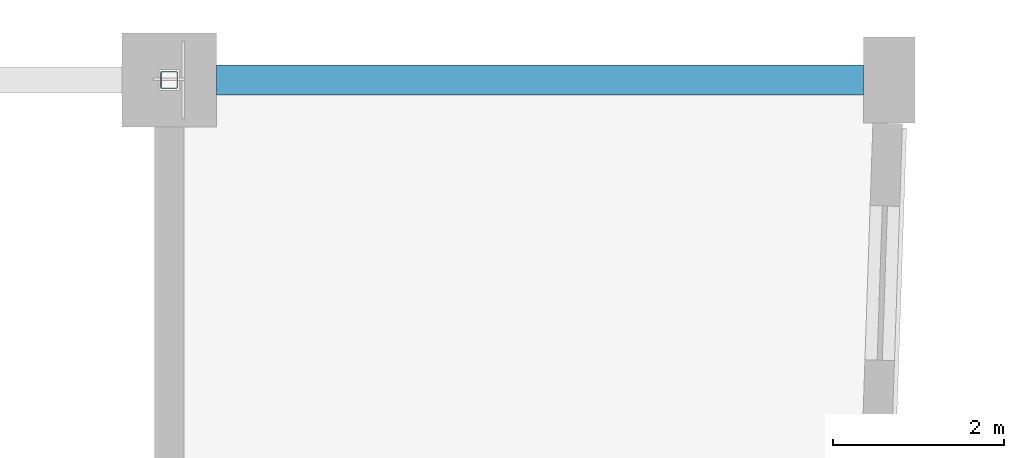
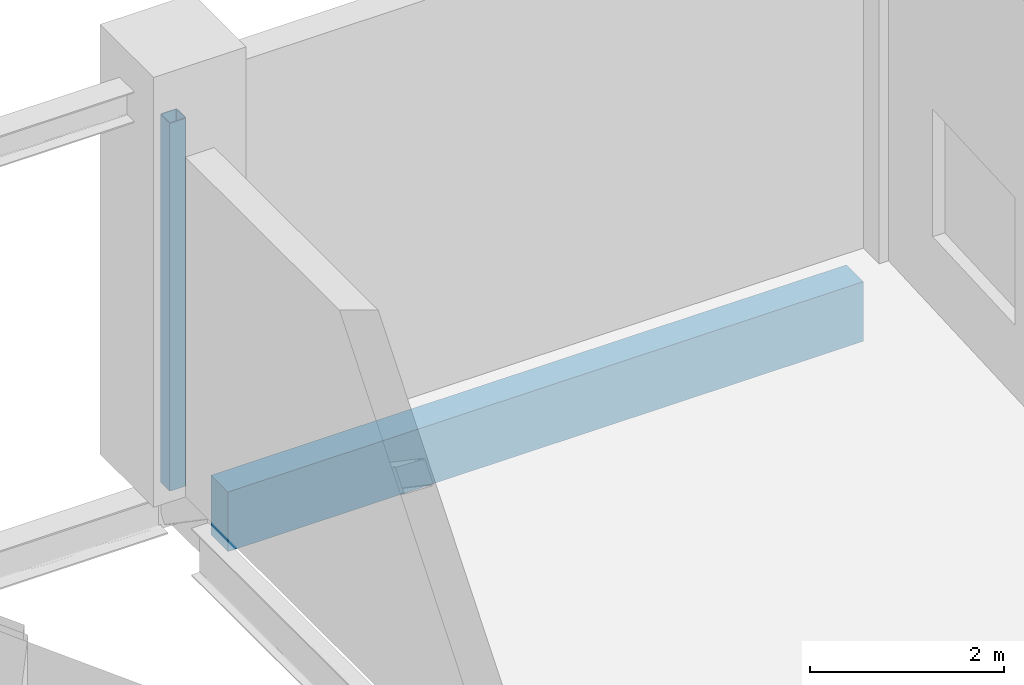
# One storey, part 43 of 127: 1 beam, 1 member.
"""IFC4 building model written with IfcOpenShell, lengths in metres."""

from ifc_helpers import new_model, si_unit, direction, frame, origin, origin_2d, place, context, subcontext, project, spatial, rectangle, hollow_rectangle, extrude, material, material_profile, profile_set, type_object, element, save


model = new_model("IFC4")

# Units and contexts
model_context = context("Model", 3, precision=1e-05, world=origin(), true_north=direction((0.0, 1.0)))
body_context = subcontext(model_context, "Body", "Model", "MODEL_VIEW")
ifc_project = project(units=[si_unit("LENGTHUNIT", "METRE"), si_unit("AREAUNIT", "SQUARE_METRE"), si_unit("VOLUMEUNIT", "CUBIC_METRE"), si_unit("PLANEANGLEUNIT", "RADIAN"), si_unit("MASSUNIT", "GRAM", prefix="KILO")], contexts=[model_context])

# Site, building, storey
site_placement = place(None, origin())
site = spatial("IfcSite", under=ifc_project, at=site_placement, CompositionType="ELEMENT")
building_placement = place(site_placement, origin())
building = spatial("IfcBuilding", under=site, at=building_placement, Name="Larkvane Passage Sports Hall", CompositionType="ELEMENT")
storey_placement = place(building_placement, frame((0.0, 0.0, 5.39990234375)))
storey = spatial("IfcBuildingStorey", under=building, at=storey_placement, Name="L01", CompositionType="ELEMENT", Elevation=5.39990234375)

# Member
ifc_material_1 = material(Name="Steel S460N", Category="steel")
ifc_material_profile_1 = material_profile(ifc_material_1, hollow_rectangle(XDim=0.199951171875, YDim=0.199951171875, WallThickness=0.009033203125, InnerFilletRadius=0.009033203125, OuterFilletRadius=0.01806640625, at=origin_2d()), Name="SHS-200x200x9")
ifc_profile_set_1 = profile_set([ifc_material_profile_1], Name="Steel S460N")
member_type = type_object("IfcMemberType", Name="MBR-ST-SHS200", PredefinedType="STRUT", material=ifc_profile_set_1)
member_placement = place(storey_placement, frame((93.60009765625, 99.199951171875, -0.22998046875), z_axis=(0.0, 0.0, 1.0), x_axis=(1.0, 0.0, 0.0)))
element("IfcMember", 1, at=member_placement, inside=storey, type_object=member_type, Name="Cantilever truss CT-N1A-2 vertical post 3", PredefinedType="STRUT", context=body_context, shape_type="SweptSolid", body=[
    extrude(hollow_rectangle(XDim=0.199951171875, YDim=0.199951171875, WallThickness=0.009033203125, InnerFilletRadius=0.009033203125, OuterFilletRadius=0.01806640625, at=origin_2d()), origin(), (0.0, 0.0, 1.0), 4.6220703125),
])

# Beam
ifc_material_2 = material(Name="Concrete C40/50", Category="concrete")
ifc_material_profile_2 = material_profile(ifc_material_2, rectangle(XDim=0.35009765625, YDim=0.75, at=origin_2d()), Name="RC-SP-350x750")
ifc_profile_set_2 = profile_set([ifc_material_profile_2], Name="Concrete C40/50")
beam_type = type_object("IfcBeamType", Name="SP-RC-350x750", PredefinedType="SPANDREL", material=ifc_profile_set_2)
beam_placement = place(storey_placement, frame((94.14990234375, 99.199951171875, -0.794921875), z_axis=(1.0, 0.0, 0.0), x_axis=(0.0, 1.0, 0.0)))
element("IfcBeam", 2, at=beam_placement, inside=storey, type_object=beam_type, Name="Girder BM5-X-L01-M-0441", PredefinedType="SPANDREL", context=body_context, shape_type="SweptSolid", body=[
    extrude(rectangle(XDim=0.35009765625, YDim=0.75, at=origin_2d()), origin(), (0.0, 0.0, 1.0), 7.550048828125),
])

save(model, "model.ifc")
